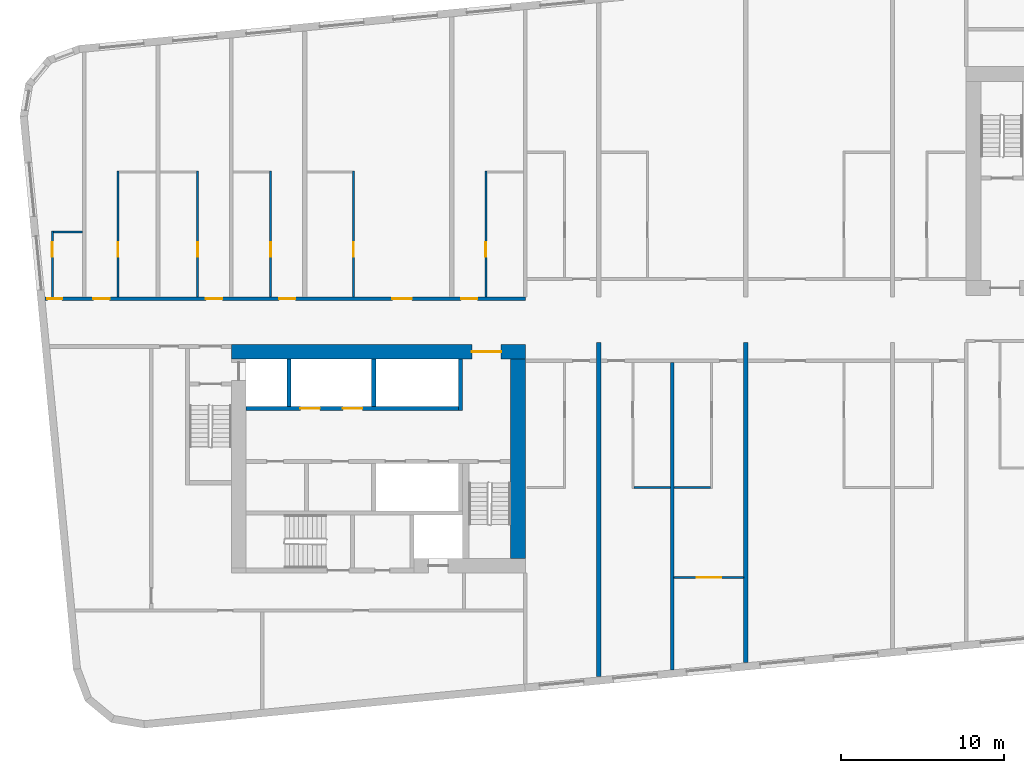
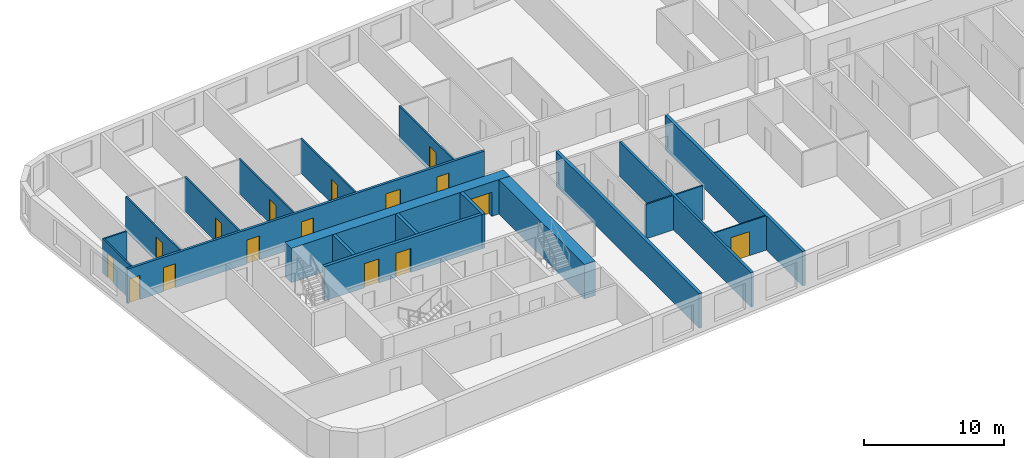
# One storey, part 3 of 12: 20 walls, 16 doors, 16 openings.
"""IFC4 building model written with IfcOpenShell, lengths in metres."""

from ifc_helpers import new_model, si_unit, direction, frame, frame_2d, origin, place, context, subcontext, project, spatial, rectangle, extrude, material, layer, layer_set, type_object, element, fill, save


model = new_model("IFC4")

# Units and contexts
model_context = context("Model", 3, precision=1e-05, world=origin(), true_north=direction((0.0, 1.0)))
body_context = subcontext(model_context, "Body", "Model", "MODEL_VIEW")
ifc_project = project(units=[si_unit("LENGTHUNIT", "METRE"), si_unit("AREAUNIT", "SQUARE_METRE"), si_unit("VOLUMEUNIT", "CUBIC_METRE"), si_unit("PLANEANGLEUNIT", "RADIAN"), si_unit("MASSUNIT", "GRAM", prefix="KILO")], contexts=[model_context])

# Site, building, storey
site_placement = place(None, origin())
site = spatial("IfcSite", under=ifc_project, at=site_placement, CompositionType="ELEMENT")
building_placement = place(site_placement, origin())
building = spatial("IfcBuilding", under=site, at=building_placement, Name="Kajstack Hotel Tower", CompositionType="ELEMENT")
storey_placement = place(building_placement, frame((0.0, 0.0, 203.199951171875)))
storey = spatial("IfcBuildingStorey", under=building, at=storey_placement, Name="L49", CompositionType="ELEMENT", Elevation=203.199951171875)

# Wall, opening, door
ifc_material_1 = material(Name="Concrete C60/75", Category="concrete")
ifc_layer_1 = layer(ifc_material_1, 0.89990234375)
ifc_layer_set_1 = layer_set([ifc_layer_1], Name="Core wall 900")
wall_type_1 = type_object("IfcWallType", Name="Core wall 900", PredefinedType="SHEAR", material=ifc_layer_set_1)
wall_1_placement = place(storey_placement, frame((-31.5, -1.949951171875, 0.0), z_axis=(0.0, 0.0, 1.0), x_axis=(1.0, 0.0, 0.0)))
wall_1 = element("IfcWall", 1, at=wall_1_placement, inside=storey, type_object=wall_type_1, Name="Core wall W RN", PredefinedType="SHEAR", context=body_context, shape_type="SweptSolid", body=[
    extrude(rectangle(XDim=18.0, YDim=0.89990234375, at=frame_2d((9.0, 0.0))), origin(), (0.0, 0.0, 1.0), 3.0),
])
opening_1_placement = place(wall_1_placement, frame((14.72509765625, 0.0, 0.0)))
opening_1 = element("IfcOpeningElement", 2, at=opening_1_placement, cuts=wall_1, Name="Opening 49W07", PredefinedType="OPENING", context=body_context, shape_type="SweptSolid", body=[
    extrude(rectangle(XDim=1.800048828125, YDim=2.10009765625, at=frame_2d((0.89990234375, 1.050048828125))), frame((0.0, 0.4599609375, 0.0), z_axis=(0.0, -1.0, 0.0), x_axis=(1.0, 0.0, 0.0)), (0.0, 0.0, 1.0), 0.919921875),
])
ifc_material_2 = material(Name="Glazed steel frame, fire-rated glass", Category="steel")
door_type_1 = type_object("IfcDoorType", Name="Lobby double door 1800", OperationType="DOUBLE_DOOR_DOUBLE_SWING", PredefinedType="DOOR", material=ifc_material_2)
door_1_placement = place(opening_1_placement, origin())
door_1 = element("IfcDoor", 3, at=door_1_placement, inside=storey, type_object=door_type_1, Name="Door 49W07", OperationType="DOUBLE_DOOR_DOUBLE_SWING", OverallHeight=2.10009765625, OverallWidth=1.800048828125, PredefinedType="DOOR", context=body_context, shape_type="SweptSolid", body=[
    extrude(rectangle(XDim=1.800048828125, YDim=2.10009765625, at=frame_2d((0.89990234375, 1.050048828125))), frame((0.0, 0.02490234375, 0.0), z_axis=(0.0, -1.0, 0.0), x_axis=(1.0, 0.0, 0.0)), (0.0, 0.0, 1.0), 0.050048828125),
])
fill(opening_1, door_1)

# Wall
wall_2_placement = place(storey_placement, frame((-13.949951171875, -14.60009765625, 0.0), z_axis=(0.0, 0.0, 1.0), x_axis=(0.0, 1.0, 0.0)))
element("IfcWall", 4, at=wall_2_placement, inside=storey, type_object=wall_type_1, Name="Core wall W RE", PredefinedType="SHEAR", context=body_context, shape_type="SweptSolid", body=[
    extrude(rectangle(XDim=12.2001953125, YDim=0.89990234375, at=frame_2d((6.10009765625, 0.0))), origin(), (0.0, 0.0, 1.0), 3.0),
])

# Wall, openings, doors
ifc_material_3 = material(Name="Gypsum board on steel studs, mineral wool", Category="steel")
ifc_layer_2 = layer(ifc_material_3, 0.199951171875)
ifc_layer_set_2 = layer_set([ifc_layer_2], Name="Corridor wall 200")
wall_type_2 = type_object("IfcWallType", Name="Corridor wall 200", PredefinedType="PARTITIONING", material=ifc_layer_set_2)
wall_3_placement = place(storey_placement, frame((-42.9130859375, 1.300048828125, 0.0), z_axis=(0.0, 0.0, 1.0), x_axis=(1.0, 0.0, 0.0)))
wall_3 = element("IfcWall", 5, at=wall_3_placement, inside=storey, type_object=wall_type_2, Name="G-wall-L49-003", PredefinedType="PARTITIONING", context=body_context, shape_type="SweptSolid", body=[
    extrude(rectangle(XDim=29.4130859375, YDim=0.199951171875, at=frame_2d((14.70654296875, 0.0))), origin(), (0.0, 0.0, 1.0), 3.0),
])
opening_2_placement = place(wall_3_placement, frame((0.14990234375, 0.0, 0.0)))
opening_2 = element("IfcOpeningElement", 6, at=opening_2_placement, cuts=wall_3, Name="Opening 49001", PredefinedType="OPENING", context=body_context, shape_type="SweptSolid", body=[
    extrude(rectangle(XDim=0.89990234375, YDim=2.10009765625, at=frame_2d((0.449951171875, 1.050048828125))), frame((0.0, 0.10986328125, 0.0), z_axis=(0.0, -1.0, 0.0), x_axis=(1.0, 0.0, 0.0)), (0.0, 0.0, 1.0), 0.219970703125),
])
opening_3_placement = place(wall_3_placement, frame((2.962890625, 0.0, 0.0)))
opening_3 = element("IfcOpeningElement", 7, at=opening_3_placement, cuts=wall_3, Name="Opening 49003", PredefinedType="OPENING", context=body_context, shape_type="SweptSolid", body=[
    extrude(rectangle(XDim=1.0, YDim=2.10009765625, at=frame_2d((0.5, 1.050048828125))), frame((0.0, 0.10986328125, 0.0), z_axis=(0.0, -1.0, 0.0), x_axis=(1.0, 0.0, 0.0)), (0.0, 0.0, 1.0), 0.219970703125),
])
opening_4_placement = place(wall_3_placement, frame((9.863037109375, 0.0, 0.0)))
opening_4 = element("IfcOpeningElement", 8, at=opening_4_placement, cuts=wall_3, Name="Opening 49005", PredefinedType="OPENING", context=body_context, shape_type="SweptSolid", body=[
    extrude(rectangle(XDim=1.0, YDim=2.10009765625, at=frame_2d((0.5, 1.050048828125))), frame((0.0, 0.10986328125, 0.0), z_axis=(0.0, -1.0, 0.0), x_axis=(1.0, 0.0, 0.0)), (0.0, 0.0, 1.0), 0.219970703125),
])
opening_5_placement = place(wall_3_placement, frame((14.337890625, 0.0, 0.0)))
opening_5 = element("IfcOpeningElement", 9, at=opening_5_placement, cuts=wall_3, Name="Opening 49007", PredefinedType="OPENING", context=body_context, shape_type="SweptSolid", body=[
    extrude(rectangle(XDim=1.0, YDim=2.10009765625, at=frame_2d((0.5, 1.050048828125))), frame((0.0, 0.10986328125, 0.0), z_axis=(0.0, -1.0, 0.0), x_axis=(1.0, 0.0, 0.0)), (0.0, 0.0, 1.0), 0.219970703125),
])
opening_6_placement = place(wall_3_placement, frame((21.27490234375, 0.0, 0.0)))
opening_6 = element("IfcOpeningElement", 10, at=opening_6_placement, cuts=wall_3, Name="Opening 49009", PredefinedType="OPENING", context=body_context, shape_type="SweptSolid", body=[
    extrude(rectangle(XDim=1.199951171875, YDim=2.10009765625, at=frame_2d((0.60009765625, 1.050048828125))), frame((0.0, 0.10986328125, 0.0), z_axis=(0.0, -1.0, 0.0), x_axis=(1.0, 0.0, 0.0)), (0.0, 0.0, 1.0), 0.219970703125),
])
opening_7_placement = place(wall_3_placement, frame((25.488037109375, 0.0, 0.0)))
opening_7 = element("IfcOpeningElement", 11, at=opening_7_placement, cuts=wall_3, Name="Opening 49011", PredefinedType="OPENING", context=body_context, shape_type="SweptSolid", body=[
    extrude(rectangle(XDim=1.0, YDim=2.10009765625, at=frame_2d((0.5, 1.050048828125))), frame((0.0, 0.10986328125, 0.0), z_axis=(0.0, -1.0, 0.0), x_axis=(1.0, 0.0, 0.0)), (0.0, 0.0, 1.0), 0.219970703125),
])
ifc_material_4 = material(Name="Oak veneer on timber core, fire-rated leaf", Category="wood")
door_type_2 = type_object("IfcDoorType", Name="Flat entrance door 1000", OperationType="SINGLE_SWING_LEFT", PredefinedType="DOOR", material=ifc_material_4)
door_2_placement = place(opening_3_placement, origin())
door_2 = element("IfcDoor", 12, at=door_2_placement, inside=storey, type_object=door_type_2, Name="G-door-L49-03", OperationType="SINGLE_SWING_LEFT", OverallHeight=2.10009765625, OverallWidth=1.0, PredefinedType="DOOR", context=body_context, shape_type="SweptSolid", body=[
    extrude(rectangle(XDim=1.0, YDim=2.10009765625, at=frame_2d((0.5, 1.050048828125))), frame((0.0, 0.02490234375, 0.0), z_axis=(0.0, -1.0, 0.0), x_axis=(1.0, 0.0, 0.0)), (0.0, 0.0, 1.0), 0.050048828125),
])
fill(opening_3, door_2)
door_3_placement = place(opening_4_placement, origin())
door_3 = element("IfcDoor", 13, at=door_3_placement, inside=storey, type_object=door_type_2, Name="G-door-L49-05", OperationType="SINGLE_SWING_LEFT", OverallHeight=2.10009765625, OverallWidth=1.0, PredefinedType="DOOR", context=body_context, shape_type="SweptSolid", body=[
    extrude(rectangle(XDim=1.0, YDim=2.10009765625, at=frame_2d((0.5, 1.050048828125))), frame((0.0, 0.02490234375, 0.0), z_axis=(0.0, -1.0, 0.0), x_axis=(1.0, 0.0, 0.0)), (0.0, 0.0, 1.0), 0.050048828125),
])
fill(opening_4, door_3)
door_4_placement = place(opening_5_placement, origin())
door_4 = element("IfcDoor", 14, at=door_4_placement, inside=storey, type_object=door_type_2, Name="G-door-L49-07", OperationType="SINGLE_SWING_RIGHT", OverallHeight=2.10009765625, OverallWidth=1.0, PredefinedType="DOOR", context=body_context, shape_type="SweptSolid", body=[
    extrude(rectangle(XDim=1.0, YDim=2.10009765625, at=frame_2d((0.5, 1.050048828125))), frame((0.0, 0.02490234375, 0.0), z_axis=(0.0, -1.0, 0.0), x_axis=(1.0, 0.0, 0.0)), (0.0, 0.0, 1.0), 0.050048828125),
])
fill(opening_5, door_4)
door_5_placement = place(opening_7_placement, origin())
door_5 = element("IfcDoor", 15, at=door_5_placement, inside=storey, type_object=door_type_2, Name="G-door-L49-11", OperationType="SINGLE_SWING_RIGHT", OverallHeight=2.10009765625, OverallWidth=1.0, PredefinedType="DOOR", context=body_context, shape_type="SweptSolid", body=[
    extrude(rectangle(XDim=1.0, YDim=2.10009765625, at=frame_2d((0.5, 1.050048828125))), frame((0.0, 0.02490234375, 0.0), z_axis=(0.0, -1.0, 0.0), x_axis=(1.0, 0.0, 0.0)), (0.0, 0.0, 1.0), 0.050048828125),
])
fill(opening_7, door_5)
door_type_3 = type_object("IfcDoorType", Name="Flat entrance door 1200", OperationType="SINGLE_SWING_LEFT", PredefinedType="DOOR", material=ifc_material_4)
door_6_placement = place(opening_6_placement, origin())
door_6 = element("IfcDoor", 16, at=door_6_placement, inside=storey, type_object=door_type_3, Name="G-door-L49-09", OperationType="SINGLE_SWING_LEFT", OverallHeight=2.10009765625, OverallWidth=1.199951171875, PredefinedType="DOOR", context=body_context, shape_type="SweptSolid", body=[
    extrude(rectangle(XDim=1.199951171875, YDim=2.10009765625, at=frame_2d((0.60009765625, 1.050048828125))), frame((0.0, 0.02490234375, 0.0), z_axis=(0.0, -1.0, 0.0), x_axis=(1.0, 0.0, 0.0)), (0.0, 0.0, 1.0), 0.050048828125),
])
fill(opening_6, door_6)
ifc_material_5 = material(Name="Painted timber door leaf", Category="wood")
door_type_4 = type_object("IfcDoorType", Name="Room door 900", OperationType="SINGLE_SWING_LEFT", PredefinedType="DOOR", material=ifc_material_5)
door_7_placement = place(opening_2_placement, origin())
door_7 = element("IfcDoor", 17, at=door_7_placement, inside=storey, type_object=door_type_4, Name="G-door-L49-01", OperationType="SINGLE_SWING_RIGHT", OverallHeight=2.10009765625, OverallWidth=0.89990234375, PredefinedType="DOOR", context=body_context, shape_type="SweptSolid", body=[
    extrude(rectangle(XDim=0.89990234375, YDim=2.10009765625, at=frame_2d((0.449951171875, 1.050048828125))), frame((0.0, 0.02490234375, 0.0), z_axis=(0.0, -1.0, 0.0), x_axis=(1.0, 0.0, 0.0)), (0.0, 0.0, 1.0), 0.050048828125),
])
fill(opening_2, door_7)

# Wall
ifc_material_6 = material(Name="Twin-frame gypsum board on steel studs, mineral wool", Category="steel")
ifc_layer_3 = layer(ifc_material_6, 0.199951171875)
ifc_layer_set_3 = layer_set([ifc_layer_3], Name="Demising wall 200")
wall_type_3 = type_object("IfcWallType", Name="Demising wall 200", PredefinedType="PARTITIONING", material=ifc_layer_set_3)
wall_4_placement = place(storey_placement, frame((-4.5, -21.43408203125, 0.0), z_axis=(0.0, 0.0, 1.0), x_axis=(0.0, 1.0, 0.0)))
element("IfcWall", 18, at=wall_4_placement, inside=storey, type_object=wall_type_3, Name="G-wall-L49-032", PredefinedType="PARTITIONING", context=body_context, shape_type="SweptSolid", body=[
    extrude(rectangle(XDim=18.833984375, YDim=0.199951171875, at=frame_2d((9.4169921875, 0.0))), origin(), (0.0, 0.0, 1.0), 3.0),
])

# Wall, opening, door
ifc_material_7 = material(Name="Gypsum board and tiled backer on steel studs", Category="steel")
ifc_layer_4 = layer(ifc_material_7, 0.125)
ifc_layer_set_4 = layer_set([ifc_layer_4], Name="En-suite wall 125")
wall_type_4 = type_object("IfcWallType", Name="En-suite wall 125", PredefinedType="PARTITIONING", material=ifc_layer_set_4)
wall_5_placement = place(storey_placement, frame((-42.4619140625, 1.39990234375, 0.0), z_axis=(0.0, 0.0, 1.0), x_axis=(0.0, 1.0, 0.0)))
wall_5 = element("IfcWall", 19, at=wall_5_placement, inside=storey, type_object=wall_type_4, Name="G-wall-L49-006", PredefinedType="PARTITIONING", context=body_context, shape_type="SweptSolid", body=[
    extrude(rectangle(XDim=4.028076171875, YDim=0.125, at=frame_2d((2.01416015625, 0.0))), origin(), (0.0, 0.0, 1.0), 3.0),
])
opening_8_placement = place(wall_5_placement, frame((2.449951171875, 0.0, 0.0)))
opening_8 = element("IfcOpeningElement", 20, at=opening_8_placement, cuts=wall_5, Name="Opening 49002", PredefinedType="OPENING", context=body_context, shape_type="SweptSolid", body=[
    extrude(rectangle(XDim=0.89990234375, YDim=2.10009765625, at=frame_2d((0.449951171875, 1.050048828125))), frame((0.0, 0.072509765625, 0.0), z_axis=(0.0, -1.0, 0.0), x_axis=(1.0, 0.0, 0.0)), (0.0, 0.0, 1.0), 0.14501953125),
])
door_8_placement = place(opening_8_placement, origin())
door_8 = element("IfcDoor", 21, at=door_8_placement, inside=storey, type_object=door_type_4, Name="G-door-L49-02", OperationType="SINGLE_SWING_RIGHT", OverallHeight=2.10009765625, OverallWidth=0.89990234375, PredefinedType="DOOR", context=body_context, shape_type="SweptSolid", body=[
    extrude(rectangle(XDim=0.89990234375, YDim=2.10009765625, at=frame_2d((0.449951171875, 1.050048828125))), frame((0.0, 0.02490234375, 0.0), z_axis=(0.0, -1.0, 0.0), x_axis=(1.0, 0.0, 0.0)), (0.0, 0.0, 1.0), 0.050048828125),
])
fill(opening_8, door_8)

# Wall
wall_6_placement = place(storey_placement, frame((-42.39990234375, 5.365966796875, 0.0), z_axis=(0.0, 0.0, 1.0), x_axis=(1.0, 0.0, 0.0)))
element("IfcWall", 22, at=wall_6_placement, inside=storey, type_object=wall_type_4, Name="G-wall-L49-007", PredefinedType="PARTITIONING", context=body_context, shape_type="SweptSolid", body=[
    extrude(rectangle(XDim=1.7998046875, YDim=0.125, at=frame_2d((0.89990234375, 0.0))), origin(), (0.0, 0.0, 1.0), 3.0),
])

# Wall, opening, door
wall_7_placement = place(storey_placement, frame((-38.43798828125, 1.39990234375, 0.0), z_axis=(0.0, 0.0, 1.0), x_axis=(0.0, 1.0, 0.0)))
wall_7 = element("IfcWall", 23, at=wall_7_placement, inside=storey, type_object=wall_type_4, Name="G-wall-L49-008", PredefinedType="PARTITIONING", context=body_context, shape_type="SweptSolid", body=[
    extrude(rectangle(XDim=7.72509765625, YDim=0.125, at=frame_2d((3.862548828125, 0.0))), origin(), (0.0, 0.0, 1.0), 3.0),
])
opening_9_placement = place(wall_7_placement, frame((2.449951171875, 0.0, 0.0)))
opening_9 = element("IfcOpeningElement", 24, at=opening_9_placement, cuts=wall_7, Name="Opening 49004", PredefinedType="OPENING", context=body_context, shape_type="SweptSolid", body=[
    extrude(rectangle(XDim=0.89990234375, YDim=2.10009765625, at=frame_2d((0.449951171875, 1.050048828125))), frame((0.0, 0.072509765625, 0.0), z_axis=(0.0, -1.0, 0.0), x_axis=(1.0, 0.0, 0.0)), (0.0, 0.0, 1.0), 0.14501953125),
])
door_9_placement = place(opening_9_placement, origin())
door_9 = element("IfcDoor", 25, at=door_9_placement, inside=storey, type_object=door_type_4, Name="G-door-L49-04", OperationType="SINGLE_SWING_RIGHT", OverallHeight=2.10009765625, OverallWidth=0.89990234375, PredefinedType="DOOR", context=body_context, shape_type="SweptSolid", body=[
    extrude(rectangle(XDim=0.89990234375, YDim=2.10009765625, at=frame_2d((0.449951171875, 1.050048828125))), frame((0.0, 0.02490234375, 0.0), z_axis=(0.0, -1.0, 0.0), x_axis=(1.0, 0.0, 0.0)), (0.0, 0.0, 1.0), 0.050048828125),
])
fill(opening_9, door_9)

wall_8_placement = place(storey_placement, frame((-33.56201171875, 1.39990234375, 0.0), z_axis=(0.0, 0.0, 1.0), x_axis=(0.0, 1.0, 0.0)))
wall_8 = element("IfcWall", 26, at=wall_8_placement, inside=storey, type_object=wall_type_4, Name="G-wall-L49-011", PredefinedType="PARTITIONING", context=body_context, shape_type="SweptSolid", body=[
    extrude(rectangle(XDim=7.72509765625, YDim=0.125, at=frame_2d((3.862548828125, 0.0))), origin(), (0.0, 0.0, 1.0), 3.0),
])
opening_10_placement = place(wall_8_placement, frame((2.449951171875, 0.0, 0.0)))
opening_10 = element("IfcOpeningElement", 27, at=opening_10_placement, cuts=wall_8, Name="Opening 49006", PredefinedType="OPENING", context=body_context, shape_type="SweptSolid", body=[
    extrude(rectangle(XDim=0.89990234375, YDim=2.10009765625, at=frame_2d((0.449951171875, 1.050048828125))), frame((0.0, 0.072509765625, 0.0), z_axis=(0.0, -1.0, 0.0), x_axis=(1.0, 0.0, 0.0)), (0.0, 0.0, 1.0), 0.14501953125),
])
door_10_placement = place(opening_10_placement, origin())
door_10 = element("IfcDoor", 28, at=door_10_placement, inside=storey, type_object=door_type_4, Name="G-door-L49-06", OperationType="SINGLE_SWING_LEFT", OverallHeight=2.10009765625, OverallWidth=0.89990234375, PredefinedType="DOOR", context=body_context, shape_type="SweptSolid", body=[
    extrude(rectangle(XDim=0.89990234375, YDim=2.10009765625, at=frame_2d((0.449951171875, 1.050048828125))), frame((0.0, 0.02490234375, 0.0), z_axis=(0.0, -1.0, 0.0), x_axis=(1.0, 0.0, 0.0)), (0.0, 0.0, 1.0), 0.050048828125),
])
fill(opening_10, door_10)

wall_9_placement = place(storey_placement, frame((-29.0869140625, 1.39990234375, 0.0), z_axis=(0.0, 0.0, 1.0), x_axis=(0.0, 1.0, 0.0)))
wall_9 = element("IfcWall", 29, at=wall_9_placement, inside=storey, type_object=wall_type_4, Name="G-wall-L49-013", PredefinedType="PARTITIONING", context=body_context, shape_type="SweptSolid", body=[
    extrude(rectangle(XDim=7.72509765625, YDim=0.125, at=frame_2d((3.862548828125, 0.0))), origin(), (0.0, 0.0, 1.0), 3.0),
])
opening_11_placement = place(wall_9_placement, frame((2.449951171875, 0.0, 0.0)))
opening_11 = element("IfcOpeningElement", 30, at=opening_11_placement, cuts=wall_9, Name="Opening 49008", PredefinedType="OPENING", context=body_context, shape_type="SweptSolid", body=[
    extrude(rectangle(XDim=0.89990234375, YDim=2.10009765625, at=frame_2d((0.449951171875, 1.050048828125))), frame((0.0, 0.072509765625, 0.0), z_axis=(0.0, -1.0, 0.0), x_axis=(1.0, 0.0, 0.0)), (0.0, 0.0, 1.0), 0.14501953125),
])
door_11_placement = place(opening_11_placement, origin())
door_11 = element("IfcDoor", 31, at=door_11_placement, inside=storey, type_object=door_type_4, Name="G-door-L49-08", OperationType="SINGLE_SWING_RIGHT", OverallHeight=2.10009765625, OverallWidth=0.89990234375, PredefinedType="DOOR", context=body_context, shape_type="SweptSolid", body=[
    extrude(rectangle(XDim=0.89990234375, YDim=2.10009765625, at=frame_2d((0.449951171875, 1.050048828125))), frame((0.0, 0.02490234375, 0.0), z_axis=(0.0, -1.0, 0.0), x_axis=(1.0, 0.0, 0.0)), (0.0, 0.0, 1.0), 0.050048828125),
])
fill(opening_11, door_11)

wall_10_placement = place(storey_placement, frame((-24.011962890625, 1.39990234375, 0.0), z_axis=(0.0, 0.0, 1.0), x_axis=(0.0, 1.0, 0.0)))
wall_10 = element("IfcWall", 32, at=wall_10_placement, inside=storey, type_object=wall_type_4, Name="G-wall-L49-015", PredefinedType="PARTITIONING", context=body_context, shape_type="SweptSolid", body=[
    extrude(rectangle(XDim=7.72509765625, YDim=0.125, at=frame_2d((3.862548828125, 0.0))), origin(), (0.0, 0.0, 1.0), 3.0),
])
opening_12_placement = place(wall_10_placement, frame((2.449951171875, 0.0, 0.0)))
opening_12 = element("IfcOpeningElement", 33, at=opening_12_placement, cuts=wall_10, Name="Opening 49010", PredefinedType="OPENING", context=body_context, shape_type="SweptSolid", body=[
    extrude(rectangle(XDim=0.89990234375, YDim=2.10009765625, at=frame_2d((0.449951171875, 1.050048828125))), frame((0.0, 0.072509765625, 0.0), z_axis=(0.0, -1.0, 0.0), x_axis=(1.0, 0.0, 0.0)), (0.0, 0.0, 1.0), 0.14501953125),
])
door_12_placement = place(opening_12_placement, origin())
door_12 = element("IfcDoor", 34, at=door_12_placement, inside=storey, type_object=door_type_4, Name="G-door-L49-10", OperationType="SINGLE_SWING_LEFT", OverallHeight=2.10009765625, OverallWidth=0.89990234375, PredefinedType="DOOR", context=body_context, shape_type="SweptSolid", body=[
    extrude(rectangle(XDim=0.89990234375, YDim=2.10009765625, at=frame_2d((0.449951171875, 1.050048828125))), frame((0.0, 0.02490234375, 0.0), z_axis=(0.0, -1.0, 0.0), x_axis=(1.0, 0.0, 0.0)), (0.0, 0.0, 1.0), 0.050048828125),
])
fill(opening_12, door_12)

wall_11_placement = place(storey_placement, frame((-15.912109375, 1.39990234375, 0.0), z_axis=(0.0, 0.0, 1.0), x_axis=(0.0, 1.0, 0.0)))
wall_11 = element("IfcWall", 35, at=wall_11_placement, inside=storey, type_object=wall_type_4, Name="G-wall-L49-018", PredefinedType="PARTITIONING", context=body_context, shape_type="SweptSolid", body=[
    extrude(rectangle(XDim=7.72509765625, YDim=0.125, at=frame_2d((3.862548828125, 0.0))), origin(), (0.0, 0.0, 1.0), 3.0),
])
opening_13_placement = place(wall_11_placement, frame((2.449951171875, 0.0, 0.0)))
opening_13 = element("IfcOpeningElement", 36, at=opening_13_placement, cuts=wall_11, Name="Opening 49012", PredefinedType="OPENING", context=body_context, shape_type="SweptSolid", body=[
    extrude(rectangle(XDim=0.89990234375, YDim=2.10009765625, at=frame_2d((0.449951171875, 1.050048828125))), frame((0.0, 0.072509765625, 0.0), z_axis=(0.0, -1.0, 0.0), x_axis=(1.0, 0.0, 0.0)), (0.0, 0.0, 1.0), 0.14501953125),
])
door_13_placement = place(opening_13_placement, origin())
door_13 = element("IfcDoor", 37, at=door_13_placement, inside=storey, type_object=door_type_4, Name="G-door-L49-12", OperationType="SINGLE_SWING_RIGHT", OverallHeight=2.10009765625, OverallWidth=0.89990234375, PredefinedType="DOOR", context=body_context, shape_type="SweptSolid", body=[
    extrude(rectangle(XDim=0.89990234375, YDim=2.10009765625, at=frame_2d((0.449951171875, 1.050048828125))), frame((0.0, 0.02490234375, 0.0), z_axis=(0.0, -1.0, 0.0), x_axis=(1.0, 0.0, 0.0)), (0.0, 0.0, 1.0), 0.050048828125),
])
fill(opening_13, door_13)

# Walls
for number, where, z_axis, x_axis, name in (
    (38, (-6.85009765625, -10.261962890625, 0.0), (0.0, 0.0, 1.0), (1.0, 0.0, 0.0), "G-wall-L49-034"),
    (39, (-4.39990234375, -10.261962890625, 0.0), (0.0, 0.0, 1.0), (1.0, 0.0, 0.0), "G-wall-L49-036"),
):
    element("IfcWall", number, at=place(storey_placement, frame(where, z_axis=z_axis, x_axis=x_axis)), inside=storey, type_object=wall_type_4, Name=name, PredefinedType="PARTITIONING", context=body_context, shape_type="SweptSolid", body=[
        extrude(rectangle(XDim=2.25, YDim=0.125, at=frame_2d((1.125, 0.0))), origin(), (0.0, 0.0, 1.0), 3.0),
    ])
ifc_material_8 = material(Name="Concrete C50/60", Category="concrete")
ifc_layer_5 = layer(ifc_material_8, 0.300048828125)
ifc_layer_set_5 = layer_set([ifc_layer_5], Name="Hoistway divider wall 300")
wall_type_5 = type_object("IfcWallType", Name="Hoistway divider wall 300", PredefinedType="SHEAR", material=ifc_layer_set_5)
wall_12_placement = place(storey_placement, frame((-22.77490234375, -5.300048828125, 0.0), z_axis=(0.0, 0.0, 1.0), x_axis=(0.0, 1.0, 0.0)))
element("IfcWall", 40, at=wall_12_placement, inside=storey, type_object=wall_type_5, Name="Core wall W AP2", PredefinedType="SHEAR", context=body_context, shape_type="SweptSolid", body=[
    extrude(rectangle(XDim=2.900146484375, YDim=0.25, at=frame_2d((1.4501953125, 0.0))), origin(), (0.0, 0.0, 1.0), 3.0),
])

# Wall, opening, door
ifc_material_9 = material(Name="Gypsum board on steel studs", Category="steel")
ifc_layer_6 = layer(ifc_material_9, 0.10009765625)
ifc_layer_set_6 = layer_set([ifc_layer_6], Name="Partition 100")
wall_type_6 = type_object("IfcWallType", Name="Partition 100", PredefinedType="PARTITIONING", material=ifc_layer_set_6)
wall_13_placement = place(storey_placement, frame((-4.39990234375, -15.77490234375, 0.0), z_axis=(0.0, 0.0, 1.0), x_axis=(1.0, 0.0, 0.0)))
wall_13 = element("IfcWall", 41, at=wall_13_placement, inside=storey, type_object=wall_type_6, Name="G-wall-L49-037", PredefinedType="PARTITIONING", context=body_context, shape_type="SweptSolid", body=[
    extrude(rectangle(XDim=4.27490234375, YDim=0.10009765625, at=frame_2d((2.137451171875, 0.0))), origin(), (0.0, 0.0, 1.0), 3.0),
])
opening_14_placement = place(wall_13_placement, frame((1.387939453125, 0.0, 0.0)))
opening_14 = element("IfcOpeningElement", 42, at=opening_14_placement, cuts=wall_13, Name="Opening 49027", PredefinedType="OPENING", context=body_context, shape_type="SweptSolid", body=[
    extrude(rectangle(XDim=1.5, YDim=2.10009765625, at=frame_2d((0.75, 1.050048828125))), frame((0.0, 0.06005859375, 0.0), z_axis=(0.0, -1.0, 0.0), x_axis=(1.0, 0.0, 0.0)), (0.0, 0.0, 1.0), 0.1201171875),
])
ifc_material_10 = material(Name="Painted timber door leaves, glazed panels", Category="wood")
door_type_5 = type_object("IfcDoorType", Name="Double door 1500", OperationType="SINGLE_SWING_LEFT", PredefinedType="DOOR", material=ifc_material_10)
door_14_placement = place(opening_14_placement, origin())
door_14 = element("IfcDoor", 43, at=door_14_placement, inside=storey, type_object=door_type_5, Name="G-door-L49-27", OperationType="SINGLE_SWING_LEFT", OverallHeight=2.10009765625, OverallWidth=1.5, PredefinedType="DOOR", context=body_context, shape_type="SweptSolid", body=[
    extrude(rectangle(XDim=1.5, YDim=2.10009765625, at=frame_2d((0.75, 1.050048828125))), frame((0.0, 0.02490234375, 0.0), z_axis=(0.0, -1.0, 0.0), x_axis=(1.0, 0.0, 0.0)), (0.0, 0.0, 1.0), 0.050048828125),
])
fill(opening_14, door_14)

# Walls
ifc_layer_7 = layer(ifc_material_8, 0.25)
ifc_layer_set_7 = layer_set([ifc_layer_7], Name="RC cross wall 250 C50/60")
wall_type_7 = type_object("IfcWallType", Name="RC cross wall 250 C50/60", PredefinedType="SHEAR", material=ifc_layer_set_7)
wall_14_placement = place(storey_placement, frame((-9.0, -21.84521484375, 0.0), z_axis=(0.0, 0.0, 1.0), x_axis=(0.0, 1.0, 0.0)))
element("IfcWall", 44, at=wall_14_placement, inside=storey, type_object=wall_type_7, Name="S-wall-L49-04", PredefinedType="SHEAR", context=body_context, shape_type="SweptSolid", body=[
    extrude(rectangle(XDim=20.4453125, YDim=0.25, at=frame_2d((10.22265625, 0.0))), origin(), (0.0, 0.0, 1.0), 3.0),
])
wall_15_placement = place(storey_placement, frame((0.0, -20.978515625, 0.0), z_axis=(0.0, 0.0, 1.0), x_axis=(0.0, 1.0, 0.0)))
element("IfcWall", 45, at=wall_15_placement, inside=storey, type_object=wall_type_7, Name="S-wall-L49-06", PredefinedType="SHEAR", context=body_context, shape_type="SweptSolid", body=[
    extrude(rectangle(XDim=19.57861328125, YDim=0.25, at=frame_2d((9.789306640625, 0.0))), origin(), (0.0, 0.0, 1.0), 3.0),
])

# Wall, openings, doors
ifc_layer_8 = layer(ifc_material_8, 0.25)
ifc_layer_set_8 = layer_set([ifc_layer_8], Name="Shaft wall 250")
wall_type_8 = type_object("IfcWallType", Name="Shaft wall 250", PredefinedType="SHEAR", material=ifc_layer_set_8)
wall_16_placement = place(storey_placement, frame((-30.60009765625, -5.425048828125, 0.0), z_axis=(0.0, 0.0, 1.0), x_axis=(1.0, 0.0, 0.0)))
wall_16 = element("IfcWall", 46, at=wall_16_placement, inside=storey, type_object=wall_type_8, Name="Core wall W FA", PredefinedType="SHEAR", context=body_context, shape_type="SweptSolid", body=[
    extrude(rectangle(XDim=13.0, YDim=0.25, at=frame_2d((6.5, 0.0))), origin(), (0.0, 0.0, 1.0), 3.0),
])
opening_15_placement = place(wall_16_placement, frame((3.324951171875, 0.0, 0.0)))
opening_15 = element("IfcOpeningElement", 47, at=opening_15_placement, cuts=wall_16, Name="Opening LD-MR3", PredefinedType="OPENING", context=body_context, shape_type="SweptSolid", body=[
    extrude(rectangle(XDim=1.199951171875, YDim=2.10009765625, at=frame_2d((0.60009765625, 1.050048828125))), frame((0.0, 0.135009765625, 0.0), z_axis=(0.0, -1.0, 0.0), x_axis=(1.0, 0.0, 0.0)), (0.0, 0.0, 1.0), 0.27001953125),
])
opening_16_placement = place(wall_16_placement, frame((5.925048828125, 0.0, 0.0)))
opening_16 = element("IfcOpeningElement", 48, at=opening_16_placement, cuts=wall_16, Name="Opening LD-MR4", PredefinedType="OPENING", context=body_context, shape_type="SweptSolid", body=[
    extrude(rectangle(XDim=1.199951171875, YDim=2.10009765625, at=frame_2d((0.60009765625, 1.050048828125))), frame((0.0, 0.135009765625, 0.0), z_axis=(0.0, -1.0, 0.0), x_axis=(1.0, 0.0, 0.0)), (0.0, 0.0, 1.0), 0.27001953125),
])
ifc_material_11 = material(Name="Stainless steel", Category="steel")
door_type_6 = type_object("IfcDoorType", Name="Lift landing door 1200", OperationType="SLIDING_TO_LEFT", PredefinedType="DOOR", material=ifc_material_11)
door_15_placement = place(opening_15_placement, origin())
door_15 = element("IfcDoor", 49, at=door_15_placement, inside=storey, type_object=door_type_6, Name="Landing door MR3", OperationType="SLIDING_TO_RIGHT", OverallHeight=2.10009765625, OverallWidth=1.199951171875, PredefinedType="DOOR", context=body_context, shape_type="SweptSolid", body=[
    extrude(rectangle(XDim=1.199951171875, YDim=2.10009765625, at=frame_2d((0.60009765625, 1.050048828125))), frame((0.0, 0.02490234375, 0.0), z_axis=(0.0, -1.0, 0.0), x_axis=(1.0, 0.0, 0.0)), (0.0, 0.0, 1.0), 0.050048828125),
])
fill(opening_15, door_15)
door_16_placement = place(opening_16_placement, origin())
door_16 = element("IfcDoor", 50, at=door_16_placement, inside=storey, type_object=door_type_6, Name="Landing door MR4", OperationType="SLIDING_TO_RIGHT", OverallHeight=2.10009765625, OverallWidth=1.199951171875, PredefinedType="DOOR", context=body_context, shape_type="SweptSolid", body=[
    extrude(rectangle(XDim=1.199951171875, YDim=2.10009765625, at=frame_2d((0.60009765625, 1.050048828125))), frame((0.0, 0.02490234375, 0.0), z_axis=(0.0, -1.0, 0.0), x_axis=(1.0, 0.0, 0.0)), (0.0, 0.0, 1.0), 0.050048828125),
])
fill(opening_16, door_16)

# Walls
wall_17_placement = place(storey_placement, frame((-17.47509765625, -5.550048828125, 0.0), z_axis=(0.0, 0.0, 1.0), x_axis=(0.0, 1.0, 0.0)))
element("IfcWall", 51, at=wall_17_placement, inside=storey, type_object=wall_type_8, Name="Core wall W AE", PredefinedType="SHEAR", context=body_context, shape_type="SweptSolid", body=[
    extrude(rectangle(XDim=3.150146484375, YDim=0.25, at=frame_2d((1.5751953125, 0.0))), origin(), (0.0, 0.0, 1.0), 3.0),
])
wall_18_placement = place(storey_placement, frame((-27.97509765625, -5.300048828125, 0.0), z_axis=(0.0, 0.0, 1.0), x_axis=(0.0, 1.0, 0.0)))
element("IfcWall", 52, at=wall_18_placement, inside=storey, type_object=wall_type_8, Name="Core wall W AP0", PredefinedType="SHEAR", context=body_context, shape_type="SweptSolid", body=[
    extrude(rectangle(XDim=2.900146484375, YDim=0.25, at=frame_2d((1.4501953125, 0.0))), origin(), (0.0, 0.0, 1.0), 3.0),
])

save(model, "model.ifc")
